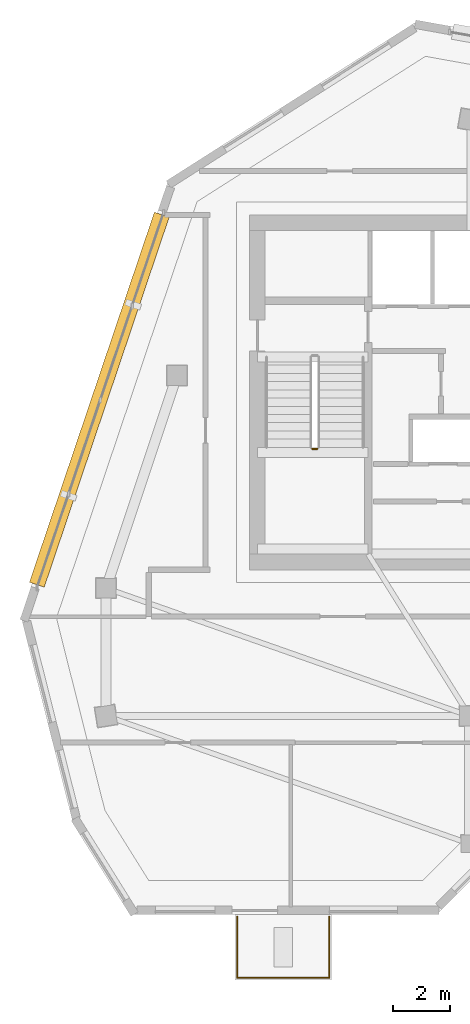
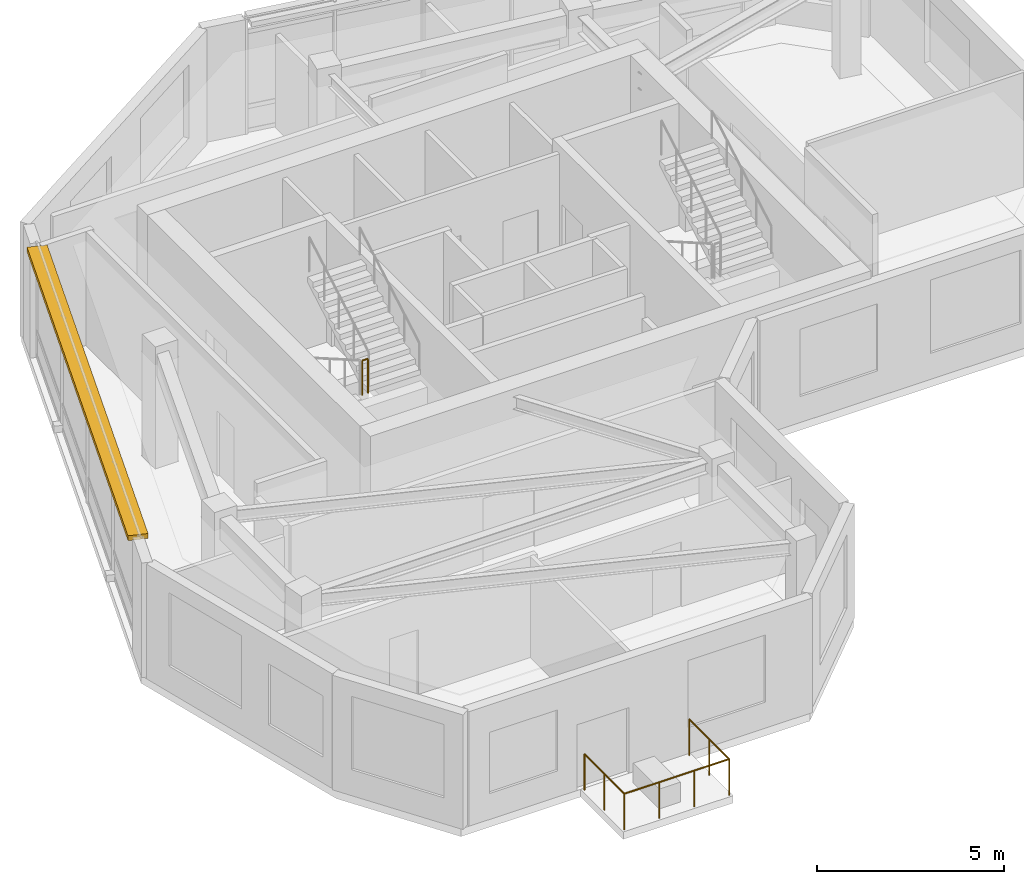
# One storey, part 6 of 8: 4 railings, 1 shading device.
"""IFC4 building model written with IfcOpenShell, lengths in metres."""

from ifc_helpers import new_model, si_unit, direction, frame, frame_2d, origin, origin_2d, place, context, subcontext, project, spatial, rectangle, circle, extrude, material, type_object, element, save


model = new_model("IFC4")

# Units and contexts
model_context = context("Model", 3, precision=1e-05, world=origin(), true_north=direction((0.0, 1.0)))
body_context = subcontext(model_context, "Body", "Model", "MODEL_VIEW")
ifc_project = project(units=[si_unit("LENGTHUNIT", "METRE"), si_unit("AREAUNIT", "SQUARE_METRE"), si_unit("VOLUMEUNIT", "CUBIC_METRE"), si_unit("PLANEANGLEUNIT", "RADIAN"), si_unit("MASSUNIT", "GRAM", prefix="KILO")], contexts=[model_context])

# Site, building, storey
site_placement = place(None, origin())
site = spatial("IfcSite", under=ifc_project, at=site_placement, CompositionType="ELEMENT")
building_placement = place(site_placement, origin())
building = spatial("IfcBuilding", under=site, at=building_placement, Name="Calvemar Wedge Station Tower", CompositionType="ELEMENT")
storey_placement = place(building_placement, frame((0.0, 0.0, 292.5)))
storey = spatial("IfcBuildingStorey", under=building, at=storey_placement, Name="L75", CompositionType="ELEMENT", Elevation=292.5)

# Railings
ifc_material_1 = material(Name="Stainless steel AISI 316L", Category="steel")
railing_type_1 = type_object("IfcRailingType", Name="GRD-TERR-1200", PredefinedType="GUARDRAIL", material=ifc_material_1)
railing_1_placement = place(storey_placement, frame((18.860107421875, 21.419921875, 0.0)))
element("IfcRailing", 1, at=railing_1_placement, inside=storey, type_object=railing_type_1, Name="Storey L75 Spiral Terrace Guard 2", PredefinedType="GUARDRAIL", context=body_context, shape_type="SweptSolid", body=[
    extrude(circle(Radius=0.02392578125, at=origin_2d()), frame((0.0, 0.0, 1.17578125), z_axis=(0.0, -1.0, 0.0), x_axis=(1.0, 0.0, 0.0)), (0.0, 0.0, 1.0), 2.139892578125),
    extrude(circle(Radius=0.02099609375, at=origin_2d()), origin(), (0.0, 0.0, 1.0), 1.15185546875),
    extrude(circle(Radius=0.02099609375, at=origin_2d()), frame((0.0, -1.06982421875, 0.0)), (0.0, 0.0, 1.0), 1.15185546875),
    extrude(circle(Radius=0.02099609375, at=origin_2d()), frame((0.0, -2.139892578125, 0.0)), (0.0, 0.0, 1.0), 1.15185546875),
])
railing_2_placement = place(storey_placement, frame((18.860107421875, 19.280029296875, 0.0)))
element("IfcRailing", 2, at=railing_2_placement, inside=storey, type_object=railing_type_1, Name="Storey L75 Spiral Terrace Guard 3", PredefinedType="GUARDRAIL", context=body_context, shape_type="SweptSolid", body=[
    extrude(circle(Radius=0.02392578125, at=origin_2d()), frame((0.0, 0.0, 1.17578125), z_axis=(-1.0, 0.0, 0.0), x_axis=(0.0, -1.0, 0.0)), (0.0, 0.0, 1.0), 3.239990234375),
    extrude(circle(Radius=0.02099609375, at=origin_2d()), origin(), (0.0, 0.0, 1.0), 1.15185546875),
    extrude(circle(Radius=0.02099609375, at=origin_2d()), frame((-1.080078125, 0.0, 0.0)), (0.0, 0.0, 1.0), 1.15185546875),
    extrude(circle(Radius=0.02099609375, at=origin_2d()), frame((-2.159912109375, 0.0, 0.0)), (0.0, 0.0, 1.0), 1.15185546875),
    extrude(circle(Radius=0.02099609375, at=origin_2d()), frame((-3.239990234375, 0.0, 0.0)), (0.0, 0.0, 1.0), 1.15185546875),
])
railing_3_placement = place(storey_placement, frame((15.6201171875, 19.280029296875, 0.0)))
element("IfcRailing", 3, at=railing_3_placement, inside=storey, type_object=railing_type_1, Name="Storey L75 Spiral Terrace Guard 4", PredefinedType="GUARDRAIL", context=body_context, shape_type="SweptSolid", body=[
    extrude(circle(Radius=0.02392578125, at=origin_2d()), frame((0.0, 0.0, 1.17578125), z_axis=(0.0, 1.0, 0.0), x_axis=(-1.0, 0.0, 0.0)), (0.0, 0.0, 1.0), 2.139892578125),
    extrude(circle(Radius=0.02099609375, at=origin_2d()), origin(), (0.0, 0.0, 1.0), 1.15185546875),
    extrude(circle(Radius=0.02099609375, at=origin_2d()), frame((0.0, 1.06982421875, 0.0)), (0.0, 0.0, 1.0), 1.15185546875),
    extrude(circle(Radius=0.02099609375, at=origin_2d()), frame((0.0, 2.139892578125, 0.0)), (0.0, 0.0, 1.0), 1.15185546875),
])
ifc_material_2 = material(Name="Painted steel guardrail ASTM A500 Grade C", Category="steel")
railing_type_2 = type_object("IfcRailingType", Name="RL-STAIR-GUARD-1150", PredefinedType="GUARDRAIL", material=ifc_material_2)
railing_4_placement = place(storey_placement, frame((18.260009765625, 37.909912109375, 2.0)))
element("IfcRailing", 4, at=railing_4_placement, inside=storey, type_object=railing_type_2, Name="L75 ST-C1 stair guard 2", PredefinedType="GUARDRAIL", context=body_context, shape_type="SweptSolid", body=[
    extrude(circle(Radius=0.02392578125, at=origin_2d()), frame((0.0, 0.0, 1.1259765625), z_axis=(1.0, 0.0, 0.0), x_axis=(0.0, 1.0, 0.0)), (0.0, 0.0, 1.0), 0.179931640625),
    extrude(circle(Radius=0.02099609375, at=origin_2d()), origin(), (0.0, 0.0, 1.0), 1.101806640625),
    extrude(circle(Radius=0.02099609375, at=origin_2d()), frame((0.179931640625, 0.0, 0.0)), (0.0, 0.0, 1.0), 1.101806640625),
])

# Shading device
ifc_material_3 = material(Name="Precast concrete C45", Category="concrete")
shading_device_type = type_object("IfcShadingDeviceType", Name="SHD-EYEBROW-1", PredefinedType="SHUTTER", material=ifc_material_3)
shading_device_placement = place(storey_placement, frame((12.960205078125, 46.158447265625, 3.570068359375), z_axis=(0.0, 0.0, 1.0), x_axis=(-0.319920236014, -0.947444479951, 0.0)))
element("IfcShadingDevice", 5, at=shading_device_placement, inside=storey, type_object=shading_device_type, Name="Storey L75 Bronze GFRC Solar Eyebrow 12", PredefinedType="SHUTTER", context=body_context, shape_type="SweptSolid", body=[
    extrude(rectangle(XDim=13.7568359375, YDim=0.550048828125, at=frame_2d((6.87841796875, 0.0))), origin(), (0.0, 0.0, 1.0), 0.159912109375),
])

save(model, "model.ifc")
